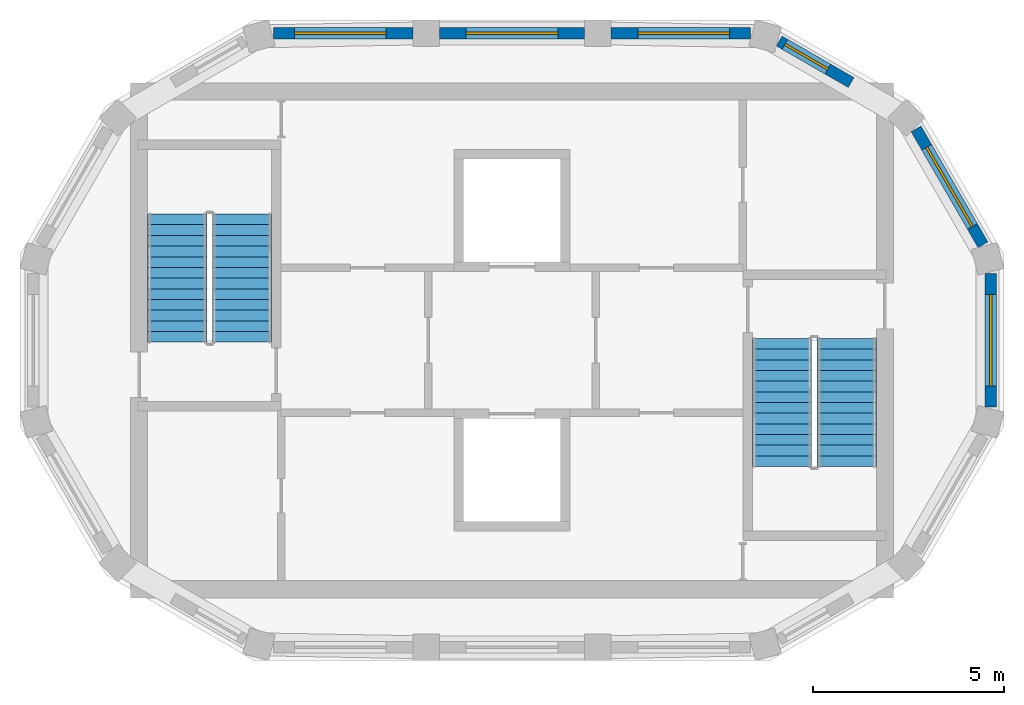
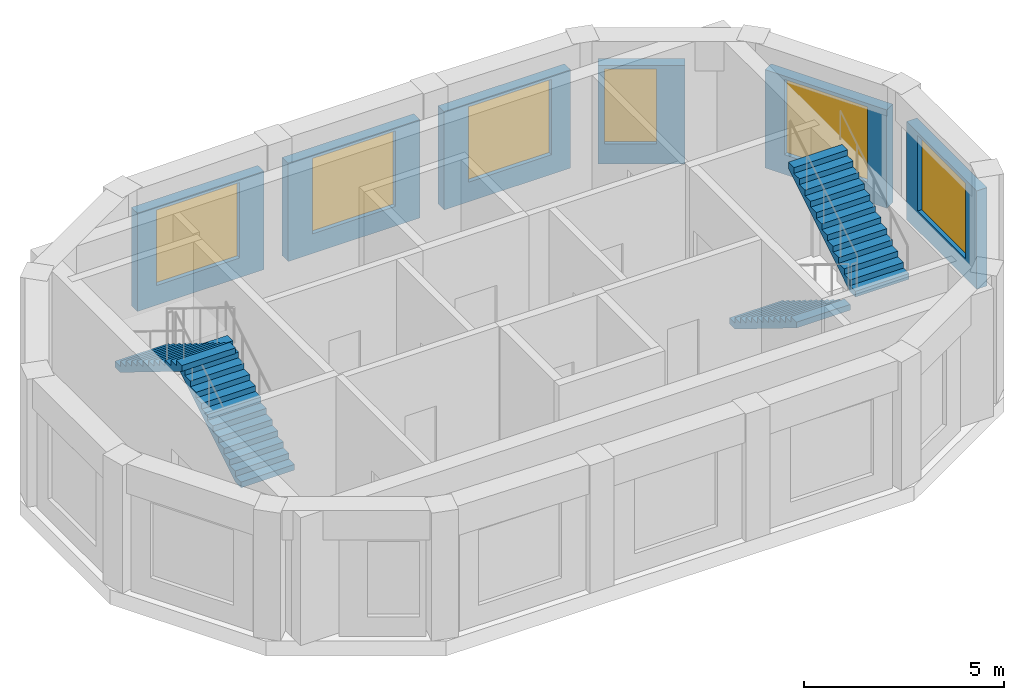
# One storey, part 3 of 4: 6 walls, 6 windows, 4 stair flights, 6 openings, 2 elements without a shape of their own.
"""IFC4 building model written with IfcOpenShell, lengths in metres."""

from ifc_helpers import new_model, si_unit, direction, frame, frame_2d, origin, place, context, subcontext, project, spatial, polyline, rectangle, outline, extrude, material, layer, layer_set, type_object, element, fill, aggregate, save


model = new_model("IFC4")

# Units and contexts
model_context = context("Model", 3, precision=1e-05, world=origin(), true_north=direction((0.0, 1.0)))
body_context = subcontext(model_context, "Body", "Model", "MODEL_VIEW")
ifc_project = project(units=[si_unit("LENGTHUNIT", "METRE"), si_unit("AREAUNIT", "SQUARE_METRE"), si_unit("VOLUMEUNIT", "CUBIC_METRE"), si_unit("PLANEANGLEUNIT", "RADIAN"), si_unit("MASSUNIT", "GRAM", prefix="KILO")], contexts=[model_context])

# Site, building, storey
site_placement = place(None, origin())
site = spatial("IfcSite", under=ifc_project, at=site_placement, CompositionType="ELEMENT")
building_placement = place(site_placement, origin())
building = spatial("IfcBuilding", under=site, at=building_placement, Name="Dhurran Vertical Campus", CompositionType="ELEMENT")
storey_placement = place(building_placement, frame((0.0, 0.0, 336.89990234375)))
storey = spatial("IfcBuildingStorey", under=building, at=storey_placement, Name="L82 Plant", CompositionType="ELEMENT", Elevation=336.89990234375)

# Wall, opening, window
ifc_material_1 = material(Name="Precast concrete C50/60", Category="concrete")
ifc_layer = layer(ifc_material_1, 0.300048828125)
ifc_layer_set = layer_set([ifc_layer], Name="Precast concrete C50/60")
wall_type = type_object("IfcWallType", Name="Precast louvre-bay wall 300", PredefinedType="SOLIDWALL", material=ifc_layer_set)
wall_1_placement = place(storey_placement, frame((12.547119140625, -1.75341796875, 0.0), z_axis=(0.0, 0.0, 1.0), x_axis=(0.0, 1.0, 0.0)))
wall_1 = element("IfcWall", 1, at=wall_1_placement, inside=storey, type_object=wall_type, Name="EW3 L82.05", PredefinedType="SOLIDWALL", context=body_context, shape_type="SweptSolid", body=[
    extrude(rectangle(XDim=3.5068359375, YDim=0.300048828125, at=frame_2d((1.75341796875, 0.0))), origin(), (0.0, 0.0, 1.0), 3.0),
])
opening_1_placement = place(wall_1_placement, frame((0.553466796875, 0.0, 0.60009765625)))
opening_1 = element("IfcOpeningElement", 2, at=opening_1_placement, cuts=wall_1, Name="Opening WT4", PredefinedType="OPENING", context=body_context, shape_type="SweptSolid", body=[
    extrude(rectangle(XDim=2.39990234375, YDim=2.300048828125, at=frame_2d((1.199951171875, 1.14990234375))), frame((0.0, 0.159912109375, 0.0), z_axis=(0.0, -1.0, 0.0), x_axis=(1.0, 0.0, 0.0)), (0.0, 0.0, 1.0), 0.320068359375),
])
ifc_material_2 = material(Name="Aluminium louvre", Category="aluminium")
window_type_1 = type_object("IfcWindowType", Name="Louvred plant vent 2400 x 2300", PartitioningType="SINGLE_PANEL", PredefinedType="WINDOW", material=ifc_material_2)
window_1_placement = place(opening_1_placement, origin())
window_1 = element("IfcWindow", 3, at=window_1_placement, inside=storey, type_object=window_type_1, Name="WT4 L82.05", OverallHeight=2.300048828125, OverallWidth=2.39990234375, PartitioningType="SINGLE_PANEL", PredefinedType="WINDOW", context=body_context, shape_type="SweptSolid", body=[
    extrude(rectangle(XDim=2.39990234375, YDim=2.300048828125, at=frame_2d((1.199951171875, 1.14990234375))), frame((0.0, 0.030029296875, 0.0), z_axis=(0.0, -1.0, 0.0), x_axis=(1.0, 0.0, 0.0)), (0.0, 0.0, 1.0), 0.06005859375),
])
fill(opening_1, window_1)

wall_2_placement = place(storey_placement, frame((12.345703125, 2.5048828125, 0.0), z_axis=(0.0, 0.0, 1.0), x_axis=(-0.499987607361, 0.86603255856, 0.0)))
wall_2 = element("IfcWall", 4, at=wall_2_placement, inside=storey, type_object=wall_type, Name="EW3 L82.06", PredefinedType="SOLIDWALL", context=body_context, shape_type="SweptSolid", body=[
    extrude(rectangle(XDim=3.5068359375, YDim=0.300048828125, at=frame_2d((1.75341796875, 0.0))), origin(), (0.0, 0.0, 1.0), 3.0),
])
opening_2_placement = place(wall_2_placement, frame((0.553466796875, 0.0, 0.60009765625)))
opening_2 = element("IfcOpeningElement", 5, at=opening_2_placement, cuts=wall_2, Name="Opening WT4", PredefinedType="OPENING", context=body_context, shape_type="SweptSolid", body=[
    extrude(rectangle(XDim=2.39990234375, YDim=2.300048828125, at=frame_2d((1.199951171875, 1.14990234375))), frame((0.0, 0.159912109375, 0.0), z_axis=(0.0, -1.0, 0.0), x_axis=(1.0, 0.0, 0.0)), (0.0, 0.0, 1.0), 0.320068359375),
])
window_2_placement = place(opening_2_placement, origin())
window_2 = element("IfcWindow", 6, at=window_2_placement, inside=storey, type_object=window_type_1, Name="WT4 L82.06", OverallHeight=2.300048828125, OverallWidth=2.39990234375, PartitioningType="SINGLE_PANEL", PredefinedType="WINDOW", context=body_context, shape_type="SweptSolid", body=[
    extrude(rectangle(XDim=2.39990234375, YDim=2.300048828125, at=frame_2d((1.199951171875, 1.14990234375))), frame((0.0, 0.030029296875, 0.0), z_axis=(0.0, -1.0, 0.0), x_axis=(1.0, 0.0, 0.0)), (0.0, 0.0, 1.0), 0.06005859375),
])
fill(opening_2, window_2)

wall_3_placement = place(storey_placement, frame((8.889892578125, 6.757568359375, 0.0), z_axis=(0.0, 0.0, 1.0), x_axis=(-0.866060442015, 0.499939307093, 0.0)))
wall_3 = element("IfcWall", 7, at=wall_3_placement, inside=storey, type_object=wall_type, Name="EW3 L82.07", PredefinedType="SOLIDWALL", context=body_context, shape_type="SweptSolid", body=[
    extrude(rectangle(XDim=2.176513671875, YDim=0.300048828125, at=frame_2d((1.08837890625, 0.0))), origin(), (0.0, 0.0, 1.0), 3.0),
])
opening_3_placement = place(wall_3_placement, frame((0.7041015625, 0.0, 0.60009765625)))
opening_3 = element("IfcOpeningElement", 8, at=opening_3_placement, cuts=wall_3, Name="Opening WT4", PredefinedType="OPENING", context=body_context, shape_type="SweptSolid", body=[
    extrude(rectangle(XDim=1.300048828125, YDim=2.300048828125, at=frame_2d((0.64990234375, 1.14990234375))), frame((0.0, 0.159912109375, 0.0), z_axis=(0.0, -1.0, 0.0), x_axis=(1.0, 0.0, 0.0)), (0.0, 0.0, 1.0), 0.320068359375),
])
ifc_material_3 = material(Name="Aluminium louvre", Category="aluminium")
window_type_2 = type_object("IfcWindowType", Name="Louvred plant vent 1300 x 2300", PartitioningType="SINGLE_PANEL", PredefinedType="WINDOW", material=ifc_material_3)
window_3_placement = place(opening_3_placement, origin())
window_3 = element("IfcWindow", 9, at=window_3_placement, inside=storey, type_object=window_type_2, Name="WT4 L82.07", OverallHeight=2.300048828125, OverallWidth=1.300048828125, PartitioningType="SINGLE_PANEL", PredefinedType="WINDOW", context=body_context, shape_type="SweptSolid", body=[
    extrude(rectangle(XDim=1.300048828125, YDim=2.300048828125, at=frame_2d((0.64990234375, 1.14990234375))), frame((0.0, 0.030029296875, 0.0), z_axis=(0.0, -1.0, 0.0), x_axis=(1.0, 0.0, 0.0)), (0.0, 0.0, 1.0), 0.06005859375),
])
fill(opening_3, window_3)

wall_4_placement = place(storey_placement, frame((6.25341796875, 8.047119140625, 0.0), z_axis=(0.0, 0.0, 1.0), x_axis=(-1.0, 0.0, 0.0)))
wall_4 = element("IfcWall", 10, at=wall_4_placement, inside=storey, type_object=wall_type, Name="EW3 L82.08", PredefinedType="SOLIDWALL", context=body_context, shape_type="SweptSolid", body=[
    extrude(rectangle(XDim=3.65283203125, YDim=0.300048828125, at=frame_2d((1.826416015625, 0.0))), origin(), (0.0, 0.0, 1.0), 3.0),
])
opening_4_placement = place(wall_4_placement, frame((0.553466796875, 0.0, 0.60009765625)))
opening_4 = element("IfcOpeningElement", 11, at=opening_4_placement, cuts=wall_4, Name="Opening WT4", PredefinedType="OPENING", context=body_context, shape_type="SweptSolid", body=[
    extrude(rectangle(XDim=2.39990234375, YDim=2.300048828125, at=frame_2d((1.199951171875, 1.14990234375))), frame((0.0, 0.159912109375, 0.0), z_axis=(0.0, -1.0, 0.0), x_axis=(1.0, 0.0, 0.0)), (0.0, 0.0, 1.0), 0.320068359375),
])
window_4_placement = place(opening_4_placement, origin())
window_4 = element("IfcWindow", 12, at=window_4_placement, inside=storey, type_object=window_type_1, Name="WT4 L82.08", OverallHeight=2.300048828125, OverallWidth=2.39990234375, PartitioningType="SINGLE_PANEL", PredefinedType="WINDOW", context=body_context, shape_type="SweptSolid", body=[
    extrude(rectangle(XDim=2.39990234375, YDim=2.300048828125, at=frame_2d((1.199951171875, 1.14990234375))), frame((0.0, 0.030029296875, 0.0), z_axis=(0.0, -1.0, 0.0), x_axis=(1.0, 0.0, 0.0)), (0.0, 0.0, 1.0), 0.06005859375),
])
fill(opening_4, window_4)

wall_5_placement = place(storey_placement, frame((1.8994140625, 8.047119140625, 0.0), z_axis=(0.0, 0.0, 1.0), x_axis=(-1.0, 0.0, 0.0)))
wall_5 = element("IfcWall", 13, at=wall_5_placement, inside=storey, type_object=wall_type, Name="EW3 L82.09", PredefinedType="SOLIDWALL", context=body_context, shape_type="SweptSolid", body=[
    extrude(rectangle(XDim=3.798828125, YDim=0.300048828125, at=frame_2d((1.8994140625, 0.0))), origin(), (0.0, 0.0, 1.0), 3.0),
])
opening_5_placement = place(wall_5_placement, frame((0.699462890625, 0.0, 0.60009765625)))
opening_5 = element("IfcOpeningElement", 14, at=opening_5_placement, cuts=wall_5, Name="Opening WT4", PredefinedType="OPENING", context=body_context, shape_type="SweptSolid", body=[
    extrude(rectangle(XDim=2.39990234375, YDim=2.300048828125, at=frame_2d((1.199951171875, 1.14990234375))), frame((0.0, 0.159912109375, 0.0), z_axis=(0.0, -1.0, 0.0), x_axis=(1.0, 0.0, 0.0)), (0.0, 0.0, 1.0), 0.320068359375),
])
window_5_placement = place(opening_5_placement, origin())
window_5 = element("IfcWindow", 15, at=window_5_placement, inside=storey, type_object=window_type_1, Name="WT4 L82.09", OverallHeight=2.300048828125, OverallWidth=2.39990234375, PartitioningType="SINGLE_PANEL", PredefinedType="WINDOW", context=body_context, shape_type="SweptSolid", body=[
    extrude(rectangle(XDim=2.39990234375, YDim=2.300048828125, at=frame_2d((1.199951171875, 1.14990234375))), frame((0.0, 0.030029296875, 0.0), z_axis=(0.0, -1.0, 0.0), x_axis=(1.0, 0.0, 0.0)), (0.0, 0.0, 1.0), 0.06005859375),
])
fill(opening_5, window_5)

wall_6_placement = place(storey_placement, frame((-2.6005859375, 8.047119140625, 0.0), z_axis=(0.0, 0.0, 1.0), x_axis=(-1.0, 0.0, 0.0)))
wall_6 = element("IfcWall", 16, at=wall_6_placement, inside=storey, type_object=wall_type, Name="EW3 L82.10", PredefinedType="SOLIDWALL", context=body_context, shape_type="SweptSolid", body=[
    extrude(rectangle(XDim=3.65283203125, YDim=0.300048828125, at=frame_2d((1.826416015625, 0.0))), origin(), (0.0, 0.0, 1.0), 3.0),
])
opening_6_placement = place(wall_6_placement, frame((0.699462890625, 0.0, 0.60009765625)))
opening_6 = element("IfcOpeningElement", 17, at=opening_6_placement, cuts=wall_6, Name="Opening WT4", PredefinedType="OPENING", context=body_context, shape_type="SweptSolid", body=[
    extrude(rectangle(XDim=2.39990234375, YDim=2.300048828125, at=frame_2d((1.199951171875, 1.14990234375))), frame((0.0, 0.159912109375, 0.0), z_axis=(0.0, -1.0, 0.0), x_axis=(1.0, 0.0, 0.0)), (0.0, 0.0, 1.0), 0.320068359375),
])
window_6_placement = place(opening_6_placement, origin())
window_6 = element("IfcWindow", 18, at=window_6_placement, inside=storey, type_object=window_type_1, Name="WT4 L82.10", OverallHeight=2.300048828125, OverallWidth=2.39990234375, PartitioningType="SINGLE_PANEL", PredefinedType="WINDOW", context=body_context, shape_type="SweptSolid", body=[
    extrude(rectangle(XDim=2.39990234375, YDim=2.300048828125, at=frame_2d((1.199951171875, 1.14990234375))), frame((0.0, 0.030029296875, 0.0), z_axis=(0.0, -1.0, 0.0), x_axis=(1.0, 0.0, 0.0)), (0.0, 0.0, 1.0), 0.06005859375),
])
fill(opening_6, window_6)

# Stair, stair flights
ifc_material_4 = material(Name="Concrete C40/50", Category="concrete")
stair_type = type_object("IfcStairType", Name="co-ST-CORE", PredefinedType="HALF_TURN_STAIR", material=ifc_material_4)
stair_1_placement = place(storey_placement, origin())
stair_1 = element("IfcStair", 19, at=stair_1_placement, inside=storey, type_object=stair_type, Name="L82 Plant Protected exit stair ST5", PredefinedType="HALF_TURN_STAIR")
ifc_material_5 = material(Name="Concrete C40/50", Category="concrete")
stair_flight_type = type_object("IfcStairFlightType", Name="co-SFL-RC", PredefinedType="STRAIGHT", material=ifc_material_5)
stair_flight_1_placement = place(storey_placement, frame((-7.074951171875, -0.050048828125, 0.0), z_axis=(0.0, 0.0, 1.0), x_axis=(0.0, 1.0, 0.0)))
stair_flight_1 = element("IfcStairFlight", 20, at=stair_flight_1_placement, type_object=stair_flight_type, Name="ST5 flight 1", NumberOfRisers=13, NumberOfTreads=12, PredefinedType="STRAIGHT", RiserHeight=0.173076923, TreadLength=0.28, context=body_context, shape_type="SweptSolid", body=[
    extrude(outline(polyline([(0.0, 0.0), (0.0, 0.173095703125), (0.280029296875, 0.173095703125), (0.280029296875, 0.34619140625), (0.56005859375, 0.34619140625), (0.56005859375, 0.519287109375), (0.840087890625, 0.519287109375), (0.840087890625, 0.6923828125), (1.1201171875, 0.6923828125), (1.1201171875, 0.865478515625), (1.39990234375, 0.865478515625), (1.39990234375, 1.03857421875), (1.679931640625, 1.03857421875), (1.679931640625, 1.21142578125), (1.9599609375, 1.21142578125), (1.9599609375, 1.384521484375), (2.239990234375, 1.384521484375), (2.239990234375, 1.5576171875), (2.52001953125, 1.5576171875), (2.52001953125, 1.730712890625), (2.800048828125, 1.730712890625), (2.800048828125, 1.90380859375), (3.080078125, 1.90380859375), (3.080078125, 2.076904296875), (3.360107421875, 2.076904296875), (3.360107421875, 2.25), (3.360107421875, 1.900634765625), (0.28515625, 0.0), (0.0, 0.0)])), frame((0.0, 0.77490234375, 0.0), z_axis=(0.0, -1.0, 0.0), x_axis=(1.0, 0.0, 0.0)), (0.0, 0.0, 1.0), 1.550048828125),
])
stair_flight_2_placement = place(storey_placement, frame((-8.77490234375, 3.31005859375, 2.25), z_axis=(0.0, 0.0, 1.0), x_axis=(0.0, -1.0, 0.0)))
stair_flight_2 = element("IfcStairFlight", 21, at=stair_flight_2_placement, type_object=stair_flight_type, Name="ST5 flight 2", NumberOfRisers=13, NumberOfTreads=12, PredefinedType="STRAIGHT", RiserHeight=0.173076923, TreadLength=0.28, context=body_context, shape_type="SweptSolid", body=[
    extrude(outline(polyline([(0.0, 0.0), (0.0, 0.173095703125), (0.280029296875, 0.173095703125), (0.280029296875, 0.34619140625), (0.56005859375, 0.34619140625), (0.56005859375, 0.519287109375), (0.840087890625, 0.519287109375), (0.840087890625, 0.6923828125), (1.1201171875, 0.6923828125), (1.1201171875, 0.865478515625), (1.39990234375, 0.865478515625), (1.39990234375, 1.03857421875), (1.679931640625, 1.03857421875), (1.679931640625, 1.21142578125), (1.9599609375, 1.21142578125), (1.9599609375, 1.384521484375), (2.239990234375, 1.384521484375), (2.239990234375, 1.5576171875), (2.52001953125, 1.5576171875), (2.52001953125, 1.730712890625), (2.800048828125, 1.730712890625), (2.800048828125, 1.90380859375), (3.080078125, 1.90380859375), (3.080078125, 2.076904296875), (3.360107421875, 2.076904296875), (3.360107421875, 2.25), (3.360107421875, 1.900634765625), (0.28515625, 0.0), (0.0, 0.0)])), frame((0.0, 0.77490234375, 0.0), z_axis=(0.0, -1.0, 0.0), x_axis=(1.0, 0.0, 0.0)), (0.0, 0.0, 1.0), 1.550048828125),
])
aggregate(stair_1, [stair_flight_1, stair_flight_2])

stair_2_placement = place(storey_placement, origin())
stair_2 = element("IfcStair", 22, at=stair_2_placement, inside=storey, type_object=stair_type, Name="L82 Plant Protected exit stair ST6", PredefinedType="HALF_TURN_STAIR")
stair_flight_3_placement = place(storey_placement, frame((7.074951171875, 0.050048828125, 0.0), z_axis=(0.0, 0.0, 1.0), x_axis=(0.0, -1.0, 0.0)))
stair_flight_3 = element("IfcStairFlight", 23, at=stair_flight_3_placement, type_object=stair_flight_type, Name="ST6 flight 1", NumberOfRisers=13, NumberOfTreads=12, PredefinedType="STRAIGHT", RiserHeight=0.173076923, TreadLength=0.28, context=body_context, shape_type="SweptSolid", body=[
    extrude(outline(polyline([(0.0, 0.0), (0.0, 0.173095703125), (0.280029296875, 0.173095703125), (0.280029296875, 0.34619140625), (0.56005859375, 0.34619140625), (0.56005859375, 0.519287109375), (0.840087890625, 0.519287109375), (0.840087890625, 0.6923828125), (1.1201171875, 0.6923828125), (1.1201171875, 0.865478515625), (1.39990234375, 0.865478515625), (1.39990234375, 1.03857421875), (1.679931640625, 1.03857421875), (1.679931640625, 1.21142578125), (1.9599609375, 1.21142578125), (1.9599609375, 1.384521484375), (2.239990234375, 1.384521484375), (2.239990234375, 1.5576171875), (2.52001953125, 1.5576171875), (2.52001953125, 1.730712890625), (2.800048828125, 1.730712890625), (2.800048828125, 1.90380859375), (3.080078125, 1.90380859375), (3.080078125, 2.076904296875), (3.360107421875, 2.076904296875), (3.360107421875, 2.25), (3.360107421875, 1.900634765625), (0.28515625, 0.0), (0.0, 0.0)])), frame((0.0, 0.77490234375, 0.0), z_axis=(0.0, -1.0, 0.0), x_axis=(1.0, 0.0, 0.0)), (0.0, 0.0, 1.0), 1.550048828125),
])
stair_flight_4_placement = place(storey_placement, frame((8.77490234375, -3.31005859375, 2.25), z_axis=(0.0, 0.0, 1.0), x_axis=(0.0, 1.0, 0.0)))
stair_flight_4 = element("IfcStairFlight", 24, at=stair_flight_4_placement, type_object=stair_flight_type, Name="ST6 flight 2", NumberOfRisers=13, NumberOfTreads=12, PredefinedType="STRAIGHT", RiserHeight=0.173076923, TreadLength=0.28, context=body_context, shape_type="SweptSolid", body=[
    extrude(outline(polyline([(0.0, 0.0), (0.0, 0.173095703125), (0.280029296875, 0.173095703125), (0.280029296875, 0.34619140625), (0.56005859375, 0.34619140625), (0.56005859375, 0.519287109375), (0.840087890625, 0.519287109375), (0.840087890625, 0.6923828125), (1.1201171875, 0.6923828125), (1.1201171875, 0.865478515625), (1.39990234375, 0.865478515625), (1.39990234375, 1.03857421875), (1.679931640625, 1.03857421875), (1.679931640625, 1.21142578125), (1.9599609375, 1.21142578125), (1.9599609375, 1.384521484375), (2.239990234375, 1.384521484375), (2.239990234375, 1.5576171875), (2.52001953125, 1.5576171875), (2.52001953125, 1.730712890625), (2.800048828125, 1.730712890625), (2.800048828125, 1.90380859375), (3.080078125, 1.90380859375), (3.080078125, 2.076904296875), (3.360107421875, 2.076904296875), (3.360107421875, 2.25), (3.360107421875, 1.900634765625), (0.28515625, 0.0), (0.0, 0.0)])), frame((0.0, 0.77490234375, 0.0), z_axis=(0.0, -1.0, 0.0), x_axis=(1.0, 0.0, 0.0)), (0.0, 0.0, 1.0), 1.550048828125),
])
aggregate(stair_2, [stair_flight_3, stair_flight_4])

save(model, "model.ifc")
